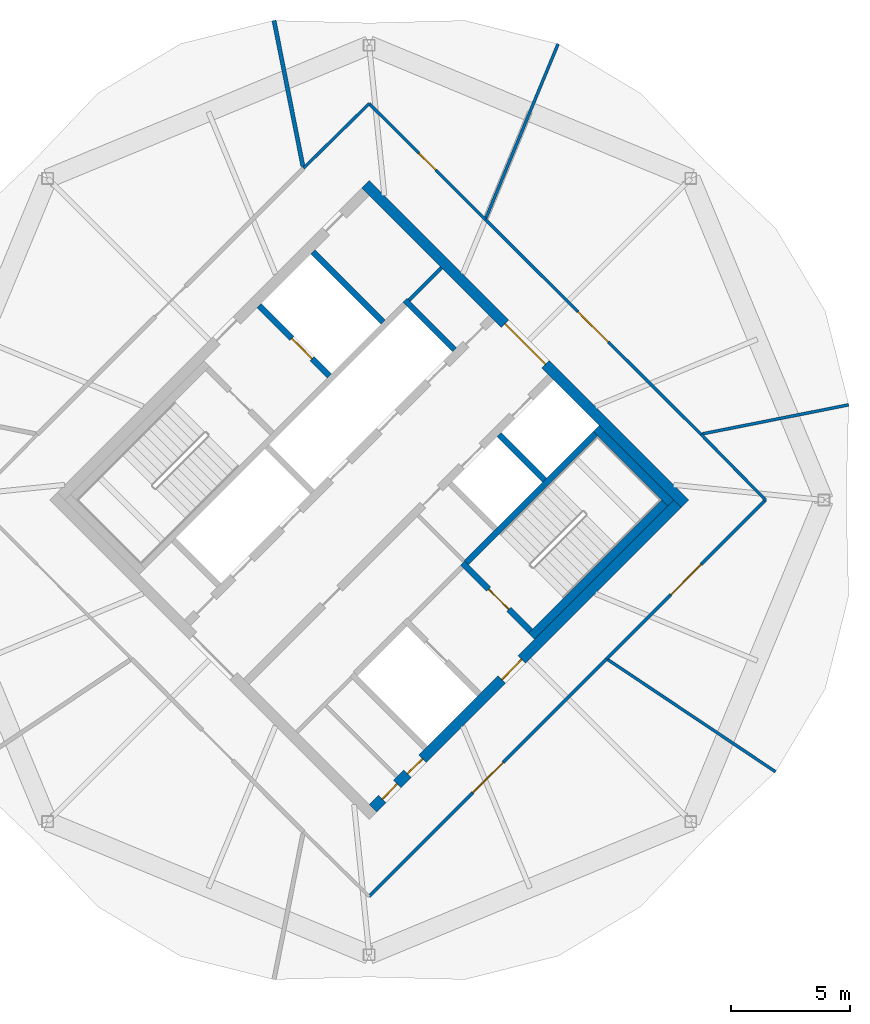
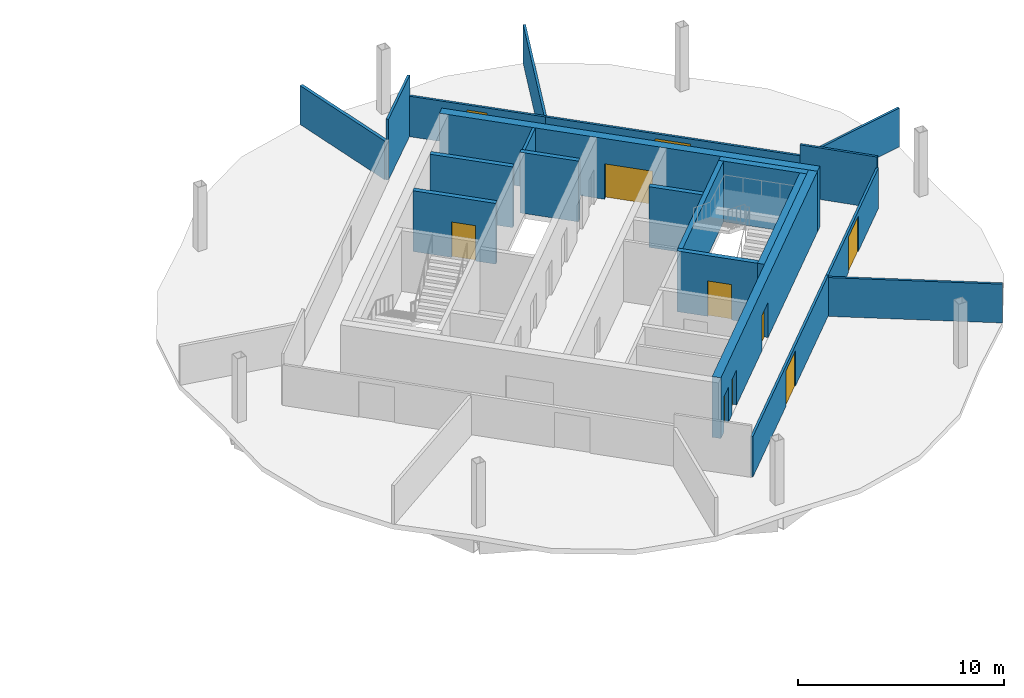
# One storey, part 8 of 10: 21 walls, 10 doors, 10 openings.
"""IFC4 building model written with IfcOpenShell, lengths in metres."""

import ifcopenshell
import ifcopenshell.guid

model = None  # the IFC model being written
_history = None  # IfcOwnerHistory: only IFC2X3 demands one
_inside = {}  # id of a spatial element -> (the spatial element, [elements in it])
_under = {}  # id of a project, library or spatial element -> (it, [spatial elements below it])
_declared = {}  # id of a project -> (the project, [libraries it declares])
_typed = {}  # id of a type object -> (the type object, [elements of that type])
_made_of = {}  # id of a material, layer set ... -> (it, [elements and type objects made of it])


def new_model(schema):
    """Start an empty IFC model of exactly this schema.

    Asked for "IFC4X3", IfcOpenShell would pick the latest addendum, in which some entities
    have other attributes; the version numbers below select the first issue.
    IFC2X3 requires an IfcOwnerHistory on every rooted entity: one is made here for all.
    """
    global model, _history
    if schema == "IFC4X3":
        model = ifcopenshell.file(schema_version=(4, 3, 0, 0))
    else:
        model = ifcopenshell.file(schema=schema)
    _inside.clear()
    _under.clear()
    _declared.clear()
    _typed.clear()
    _made_of.clear()
    _history = None
    if model.schema == "IFC2X3":
        org = make("IfcOrganization", Name="unknown")
        user = make(
            "IfcPersonAndOrganization",
            ThePerson=make("IfcPerson", FamilyName="unknown"),
            TheOrganization=org,
        )
        app = make(
            "IfcApplication",
            ApplicationDeveloper=org,
            Version="unknown",
            ApplicationFullName="unknown",
            ApplicationIdentifier="unknown",
        )
        _history = make(
            "IfcOwnerHistory",
            OwningUser=user,
            OwningApplication=app,
            ChangeAction="ADDED",
            CreationDate=0,
        )
    return model


def make(cls, **values):
    """One entity of the class cls with the attributes given. An attribute that is None is left unset."""
    return model.create_entity(
        cls, **{name: value for name, value in values.items() if value is not None}
    )


def rooted(cls, **values):
    """An entity with a GlobalId (a new one), such as an element, a storey or a relation."""
    return make(cls, GlobalId=ifcopenshell.guid.new(), OwnerHistory=_history, **values)


def si_unit(unit_type, name, prefix=None):
    """IfcSIUnit, for example si_unit("LENGTHUNIT", "METRE", prefix="MILLI")."""
    return make("IfcSIUnit", UnitType=unit_type, Prefix=prefix, Name=name)


def assignment(units):
    """IfcUnitAssignment: the units of a project."""
    return None if units is None else make("IfcUnitAssignment", Units=units)


def point(xyz):
    """IfcCartesianPoint."""
    return None if xyz is None else make("IfcCartesianPoint", Coordinates=xyz)


def direction(xyz):
    """IfcDirection."""
    return None if xyz is None else make("IfcDirection", DirectionRatios=xyz)


def frame(location, z_axis=None, x_axis=None):
    """IfcAxis2Placement3D, a coordinate frame: its origin and axes. An axis left out is left unset."""
    return make(
        "IfcAxis2Placement3D",
        Location=point(location),
        Axis=direction(z_axis),
        RefDirection=direction(x_axis),
    )


def frame_2d(location, x_axis=None):
    """IfcAxis2Placement2D, a coordinate frame in the plane: its origin and x axis."""
    return make(
        "IfcAxis2Placement2D", Location=point(location), RefDirection=direction(x_axis)
    )


def origin():
    """The frame at (0, 0, 0) with its axes left unset."""
    return frame((0.0, 0.0, 0.0))


def place(relative_to, where):
    """IfcLocalPlacement: puts the frame where relative to a parent placement (None: the world)."""
    return make(
        "IfcLocalPlacement", PlacementRelTo=relative_to, RelativePlacement=where
    )


def context(
    kind, dimensions, precision=None, world=None, true_north=None, identifier=None
):
    """IfcGeometricRepresentationContext, for example the 3D "Model" context."""
    return make(
        "IfcGeometricRepresentationContext",
        ContextIdentifier=identifier,
        ContextType=kind,
        CoordinateSpaceDimension=dimensions,
        Precision=precision,
        WorldCoordinateSystem=world,
        TrueNorth=true_north,
    )


def subcontext(parent, identifier, kind, view, scale=None):
    """IfcGeometricRepresentationSubContext, for example "Body" below "Model"."""
    return make(
        "IfcGeometricRepresentationSubContext",
        ContextIdentifier=identifier,
        ContextType=kind,
        ParentContext=parent,
        TargetScale=scale,
        TargetView=view,
    )


def project(units=None, contexts=None):
    """IfcProject with its units and contexts."""
    return rooted(
        "IfcProject",
        Name="project",
        RepresentationContexts=contexts,
        UnitsInContext=assignment(units),
    )


def spatial(cls, under=None, at=None, **own):
    """A site, building, storey or space (cls), placed at a placement, below another one or the project."""
    s = rooted(cls, ObjectPlacement=at, **own)
    if under is not None:
        _under.setdefault(under.id(), (under, []))[1].append(s)
    return s


def profile(cls, at=None, kind="AREA", **sizes):
    """A parametric profile (cls). Its sizes go by their IFC names, for example OverallWidth=200.0."""
    return make(cls, ProfileType=kind, Position=at, **sizes)


def rectangle(**sizes):
    """IfcRectangleProfileDef."""
    return profile("IfcRectangleProfileDef", **sizes)


def extrude(swept, where, along, depth):
    """IfcExtrudedAreaSolid: the profile swept, set in the frame where, extruded along a direction by depth."""
    return make(
        "IfcExtrudedAreaSolid",
        SweptArea=swept,
        Position=where,
        ExtrudedDirection=direction(along),
        Depth=depth,
    )


def shape(context_of_items, identifier, shape_type, items):
    """IfcShapeRepresentation: the items that make up one representation, for example the "Body"."""
    return make(
        "IfcShapeRepresentation",
        ContextOfItems=context_of_items,
        RepresentationIdentifier=identifier,
        RepresentationType=shape_type,
        Items=items,
    )


def material(Name=None, Category=None):
    """IfcMaterial."""
    return make("IfcMaterial", Name=Name, Category=Category)


def layer(
    of_material, thickness, ventilated=None, Name=None, Category=None, Priority=None
):
    """IfcMaterialLayer: one layer of a wall or slab, of a material (None: an air gap)."""
    return make(
        "IfcMaterialLayer",
        Material=of_material,
        LayerThickness=thickness,
        IsVentilated=ventilated,
        Name=Name,
        Category=Category,
        Priority=Priority,
    )


def layer_set(layers, Name=None):
    """IfcMaterialLayerSet."""
    return make("IfcMaterialLayerSet", MaterialLayers=layers, LayerSetName=Name)


def made_of(thing, what):
    """Note that an element or type object is made of a material, layer set ...; save() writes the relation."""
    if what is not None:
        _made_of.setdefault(what.id(), (what, []))[1].append(thing)
    return thing


def type_object(cls, material=None, **own):
    """A type object (cls), such as IfcWallType, which elements share."""
    return made_of(rooted(cls, **own), material)


def element(
    cls,
    number,
    at=None,
    inside=None,
    cuts=None,
    type_object=None,
    material=None,
    context=None,
    identifier="Body",
    shape_type=None,
    held_by="IfcProductDefinitionShape",
    body=None,
    shapes=None,
    **own,
):
    """One element of the class cls, such as IfcWall. Its Tag is "e" and its number.

    at: its placement. inside: the storey or other place that contains it. cuts: it is an
    opening in that element (IfcRelVoidsElement). A single representation is given by context,
    identifier, shape_type and body (its items); several are given by shapes. held_by: the class
    of the entity that holds the representations. save() writes the other relations.
    """
    e = rooted(cls, Tag="e%d" % number, ObjectPlacement=at, **own)
    if body is not None:
        shapes = [shape(context, identifier, shape_type, body)]
    if shapes is not None:
        e.Representation = make(held_by, Representations=shapes)
    if inside is not None:
        _inside.setdefault(inside.id(), (inside, []))[1].append(e)
    if cuts is not None:
        rooted(
            "IfcRelVoidsElement", RelatingBuildingElement=cuts, RelatedOpeningElement=e
        )
    if type_object is not None:
        _typed.setdefault(type_object.id(), (type_object, []))[1].append(e)
    return made_of(e, material)


def fill(opening, filler):
    """IfcRelFillsElement: the door or window that sits in an opening."""
    return rooted(
        "IfcRelFillsElement",
        RelatingOpeningElement=opening,
        RelatedBuildingElement=filler,
    )


def aggregate(whole, parts):
    """IfcRelAggregates: a whole, such as a stair, and the parts it consists of."""
    return rooted("IfcRelAggregates", RelatingObject=whole, RelatedObjects=parts)


def save(model, path):
    """Write the relations noted so far, then the file.

    IfcRelAggregates (storeys below a building ...), IfcRelContainedInSpatialStructure (elements
    in a storey), IfcRelDefinesByType, IfcRelAssociatesMaterial and IfcRelDeclares: one each for
    every whole, place, type object, material and project.
    """
    for whole, parts in _under.values():
        aggregate(whole, parts)
    for where, things in _inside.values():
        rooted(
            "IfcRelContainedInSpatialStructure",
            RelatedElements=things,
            RelatingStructure=where,
        )
    for kind, things in _typed.values():
        rooted("IfcRelDefinesByType", RelatedObjects=things, RelatingType=kind)
    for what, things in _made_of.values():
        rooted("IfcRelAssociatesMaterial", RelatedObjects=things, RelatingMaterial=what)
    for by, libraries in _declared.values():
        rooted("IfcRelDeclares", RelatingContext=by, RelatedDefinitions=libraries)
    model.write(path)


model = new_model("IFC4")

# Units and contexts
model_context = context("Model", 3, precision=1e-05, world=origin(), true_north=direction((0.0, 1.0)))
body_context = subcontext(model_context, "Body", "Model", "MODEL_VIEW")
ifc_project = project(units=[si_unit("LENGTHUNIT", "METRE"), si_unit("AREAUNIT", "SQUARE_METRE"), si_unit("VOLUMEUNIT", "CUBIC_METRE"), si_unit("PLANEANGLEUNIT", "RADIAN"), si_unit("MASSUNIT", "GRAM", prefix="KILO")], contexts=[model_context])

# Site, building, storey
site_placement = place(None, origin())
site = spatial("IfcSite", under=ifc_project, at=site_placement, CompositionType="ELEMENT")
building_placement = place(site_placement, origin())
building = spatial("IfcBuilding", under=site, at=building_placement, Name="Ogive Gate Towers", CompositionType="ELEMENT")
storey_placement = place(building_placement, frame((0.0, 0.0, 236.699951171875)))
storey = spatial("IfcBuildingStorey", under=building, at=storey_placement, Name="L56", CompositionType="ELEMENT", Elevation=236.699951171875)

# Wall
ifc_material_1 = material(Name="Gypsum board acoustic partition")
ifc_layer_1 = layer(ifc_material_1, 0.175048828125)
ifc_layer_set_1 = layer_set([ifc_layer_1], Name="Acoustic partition 175")
wall_type_1 = type_object("IfcWallType", Name="Acoustic partition 175", PredefinedType="PARTITIONING", material=ifc_layer_set_1)
wall_1_placement = place(storey_placement, frame((31.99951171875, 20.156494140625, 0.0), z_axis=(0.0, 0.0, 1.0), x_axis=(0.194674004702, -0.98086799922, 0.0)))
element("IfcWall", 1, at=wall_1_placement, inside=storey, type_object=wall_type_1, Name="Partition T2-L56-003", PredefinedType="PARTITIONING", context=body_context, shape_type="SweptSolid", body=[
    extrude(rectangle(XDim=6.251708984375, YDim=0.175048828125, at=frame_2d((3.1259765625, 0.0))), origin(), (0.0, 0.0, 1.0), 2.300048828125),
])

# Wall, openings, doors
ifc_material_2 = material(Name="Concrete C60/75", Category="concrete")
ifc_layer_2 = layer(ifc_material_2, 0.449951171875)
ifc_layer_set_2 = layer_set([ifc_layer_2], Name="Core wall 450 mm")
wall_type_2 = type_object("IfcWallType", Name="Core wall 450 mm", PredefinedType="SHEAR", material=ifc_layer_set_2)
wall_2_placement = place(storey_placement, frame((36.1591796875, -12.957763671875, 0.0), z_axis=(0.0, 0.0, 1.0), x_axis=(0.707106781187, 0.707106781187, 0.0)))
wall_2 = element("IfcWall", 2, at=wall_2_placement, inside=storey, type_object=wall_type_2, Name="T2 L56 Core wall 450 mm", PredefinedType="SHEAR", context=body_context, shape_type="SweptSolid", body=[
    extrude(rectangle(XDim=18.099853515625, YDim=0.449951171875, at=frame_2d((9.0498046875, 0.0))), origin(), (0.0, 0.0, 1.0), 3.60009765625),
])
opening_1_placement = place(wall_2_placement, frame((7.64990234375, 0.0, 0.0)))
opening_1 = element("IfcOpeningElement", 3, at=opening_1_placement, cuts=wall_2, Name="Opening KD-T2-L56-19", PredefinedType="OPENING", context=body_context, shape_type="SweptSolid", body=[
    extrude(rectangle(XDim=1.199951171875, YDim=2.10009765625, at=frame_2d((0.60009765625, 1.050048828125))), frame((0.0, 0.23486328125, 0.0), z_axis=(0.0, -1.0, 0.0), x_axis=(1.0, 0.0, 0.0)), (0.0, 0.0, 1.0), 0.469970703125),
])
opening_2_placement = place(wall_2_placement, frame((0.550048828125, 0.0, 0.0)))
opening_2 = element("IfcOpeningElement", 4, at=opening_2_placement, cuts=wall_2, Name="Opening KD-T2-L56-21", PredefinedType="OPENING", context=body_context, shape_type="SweptSolid", body=[
    extrude(rectangle(XDim=0.89990234375, YDim=2.10009765625, at=frame_2d((0.449951171875, 1.050048828125))), frame((0.0, 0.23486328125, 0.0), z_axis=(0.0, -1.0, 0.0), x_axis=(1.0, 0.0, 0.0)), (0.0, 0.0, 1.0), 0.469970703125),
])
opening_3_placement = place(wall_2_placement, frame((2.050048828125, 0.0, 0.0)))
opening_3 = element("IfcOpeningElement", 5, at=opening_3_placement, cuts=wall_2, Name="Opening KD-T2-L56-22", PredefinedType="OPENING", context=body_context, shape_type="SweptSolid", body=[
    extrude(rectangle(XDim=0.89990234375, YDim=2.10009765625, at=frame_2d((0.449951171875, 1.050048828125))), frame((0.0, 0.23486328125, 0.0), z_axis=(0.0, -1.0, 0.0), x_axis=(1.0, 0.0, 0.0)), (0.0, 0.0, 1.0), 0.469970703125),
])
ifc_material_3 = material(Name="Timber door", Category="wood")
door_type_1 = type_object("IfcDoorType", Name="Core WC door 900 x 2100", OperationType="NOTDEFINED", PredefinedType="DOOR", material=ifc_material_3)
door_1_placement = place(opening_2_placement, origin())
door_1 = element("IfcDoor", 6, at=door_1_placement, inside=storey, type_object=door_type_1, Name="T2 L56 Core door", OperationType="SINGLE_SWING_RIGHT", OverallHeight=2.10009765625, OverallWidth=0.89990234375, PredefinedType="DOOR", context=body_context, shape_type="SweptSolid", body=[
    extrude(rectangle(XDim=0.89990234375, YDim=2.10009765625, at=frame_2d((0.449951171875, 1.050048828125))), frame((0.0, 0.02490234375, 0.0), z_axis=(0.0, -1.0, 0.0), x_axis=(1.0, 0.0, 0.0)), (0.0, 0.0, 1.0), 0.050048828125),
])
fill(opening_2, door_1)
door_2_placement = place(opening_3_placement, origin())
door_2 = element("IfcDoor", 7, at=door_2_placement, inside=storey, type_object=door_type_1, Name="T2 L56 Core door", OperationType="SINGLE_SWING_LEFT", OverallHeight=2.10009765625, OverallWidth=0.89990234375, PredefinedType="DOOR", context=body_context, shape_type="SweptSolid", body=[
    extrude(rectangle(XDim=0.89990234375, YDim=2.10009765625, at=frame_2d((0.449951171875, 1.050048828125))), frame((0.0, 0.02490234375, 0.0), z_axis=(0.0, -1.0, 0.0), x_axis=(1.0, 0.0, 0.0)), (0.0, 0.0, 1.0), 0.050048828125),
])
fill(opening_3, door_2)
ifc_material_4 = material(Name="Steel fire door", Category="steel")
door_type_2 = type_object("IfcDoorType", Name="Core door FD60S 1200 x 2100", OperationType="NOTDEFINED", PredefinedType="DOOR", material=ifc_material_4)
door_3_placement = place(opening_1_placement, origin())
door_3 = element("IfcDoor", 8, at=door_3_placement, inside=storey, type_object=door_type_2, Name="T2 L56 Fire-fighting lobby door", OperationType="SINGLE_SWING_RIGHT", OverallHeight=2.10009765625, OverallWidth=1.199951171875, PredefinedType="DOOR", context=body_context, shape_type="SweptSolid", body=[
    extrude(rectangle(XDim=1.199951171875, YDim=2.10009765625, at=frame_2d((0.60009765625, 1.050048828125))), frame((0.0, 0.02490234375, 0.0), z_axis=(0.0, -1.0, 0.0), x_axis=(1.0, 0.0, 0.0)), (0.0, 0.0, 1.0), 0.050048828125),
])
fill(opening_1, door_3)

# Wall, opening, door
wall_3_placement = place(storey_placement, frame((49.27587890625, -0.1591796875, 0.0), z_axis=(0.0, 0.0, 1.0), x_axis=(-0.707106781187, 0.707106781187, 0.0)))
wall_3 = element("IfcWall", 9, at=wall_3_placement, inside=storey, type_object=wall_type_2, Name="T2 L56 Core wall 450 mm", PredefinedType="SHEAR", context=body_context, shape_type="SweptSolid", body=[
    extrude(rectangle(XDim=19.0, YDim=0.449951171875, at=frame_2d((9.5, 0.0))), origin(), (0.0, 0.0, 1.0), 3.60009765625),
])
opening_4_placement = place(wall_3_placement, frame((8.300048828125, 0.0, 0.0)))
opening_4 = element("IfcOpeningElement", 10, at=opening_4_placement, cuts=wall_3, Name="Opening KD-T2-L56-02", PredefinedType="OPENING", context=body_context, shape_type="SweptSolid", body=[
    extrude(rectangle(XDim=2.39990234375, YDim=2.10009765625, at=frame_2d((1.199951171875, 1.050048828125))), frame((0.0, 0.23486328125, 0.0), z_axis=(0.0, -1.0, 0.0), x_axis=(1.0, 0.0, 0.0)), (0.0, 0.0, 1.0), 0.469970703125),
])
door_type_3 = type_object("IfcDoorType", Name="Core double door FD60S 2400 x 2100", OperationType="DOUBLE_DOOR_SINGLE_SWING", PredefinedType="DOOR", material=ifc_material_4)
door_4_placement = place(opening_4_placement, origin())
door_4 = element("IfcDoor", 11, at=door_4_placement, inside=storey, type_object=door_type_3, Name="T2 L56 Core door double", OperationType="DOUBLE_DOOR_SINGLE_SWING", OverallHeight=2.10009765625, OverallWidth=2.39990234375, PredefinedType="DOOR", context=body_context, shape_type="SweptSolid", body=[
    extrude(rectangle(XDim=2.39990234375, YDim=2.10009765625, at=frame_2d((1.199951171875, 1.050048828125))), frame((0.0, 0.02490234375, 0.0), z_axis=(0.0, -1.0, 0.0), x_axis=(1.0, 0.0, 0.0)), (0.0, 0.0, 1.0), 0.050048828125),
])
fill(opening_4, door_4)

# Walls
ifc_material_5 = material(Name="Gypsum board partition")
ifc_layer_3 = layer(ifc_material_5, 0.125)
ifc_layer_set_3 = layer_set([ifc_layer_3], Name="Partition 125")
wall_type_3 = type_object("IfcWallType", Name="Partition 125", PredefinedType="PARTITIONING", material=ifc_layer_set_3)
wall_4_placement = place(storey_placement, frame((56.156494140625, 4.00048828125, 0.0), z_axis=(0.0, 0.0, 1.0), x_axis=(-0.980866863673, -0.194679726085, 0.0)))
element("IfcWall", 12, at=wall_4_placement, inside=storey, type_object=wall_type_3, Name="Partition T2-L56-001", PredefinedType="PARTITIONING", context=body_context, shape_type="SweptSolid", body=[
    extrude(rectangle(XDim=6.276611328125, YDim=0.125, at=frame_2d((3.13818359375, 0.0))), origin(), (0.0, 0.0, 1.0), 2.300048828125),
])
wall_5_placement = place(storey_placement, frame((43.940673828125, 19.170654296875, 0.0), z_axis=(0.0, 0.0, 1.0), x_axis=(-0.382663714517, -0.923887699665, 0.0)))
element("IfcWall", 13, at=wall_5_placement, inside=storey, type_object=wall_type_3, Name="Partition T2-L56-002", PredefinedType="PARTITIONING", context=body_context, shape_type="SweptSolid", body=[
    extrude(rectangle(XDim=7.926513671875, YDim=0.125, at=frame_2d((3.96337890625, 0.0))), origin(), (0.0, 0.0, 1.0), 2.300048828125),
])
wall_6_placement = place(storey_placement, frame((53.081298828125, -11.424072265625, 0.0), z_axis=(0.0, 0.0, 1.0), x_axis=(-0.831225196117, 0.555935853619, 0.0)))
element("IfcWall", 14, at=wall_6_placement, inside=storey, type_object=wall_type_3, Name="Partition T2-L56-007", PredefinedType="PARTITIONING", context=body_context, shape_type="SweptSolid", body=[
    extrude(rectangle(XDim=8.4765625, YDim=0.125, at=frame_2d((4.23828125, 0.0))), origin(), (0.0, 0.0, 1.0), 2.300048828125),
])

# Wall, opening, door
wall_7_placement = place(storey_placement, frame((36.0, -16.659423828125, 0.0), z_axis=(0.0, 0.0, 1.0), x_axis=(0.707141366146, 0.707072194536, 0.0)))
wall_7 = element("IfcWall", 15, at=wall_7_placement, inside=storey, type_object=wall_type_3, Name="Partition T2-L56-011", PredefinedType="PARTITIONING", context=body_context, shape_type="SweptSolid", body=[
    extrude(rectangle(XDim=14.117919921875, YDim=0.125, at=frame_2d((7.05908203125, 0.0))), origin(), (0.0, 0.0, 1.0), 2.400146484375),
])
opening_5_placement = place(wall_7_placement, frame((6.158935546875, 0.0, 0.0)))
opening_5 = element("IfcOpeningElement", 16, at=opening_5_placement, cuts=wall_7, Name="Opening T2-L56-D03", PredefinedType="OPENING", context=body_context, shape_type="SweptSolid", body=[
    extrude(rectangle(XDim=1.800048828125, YDim=2.10009765625, at=frame_2d((0.89990234375, 1.050048828125))), frame((0.0, 0.072509765625, 0.0), z_axis=(0.0, -1.0, 0.0), x_axis=(1.0, 0.0, 0.0)), (0.0, 0.0, 1.0), 0.14501953125),
])
door_type_4 = type_object("IfcDoorType", Name="Door pair 1800", OperationType="NOTDEFINED", PredefinedType="DOOR", material=ifc_material_3)
door_5_placement = place(opening_5_placement, origin())
door_5 = element("IfcDoor", 17, at=door_5_placement, inside=storey, type_object=door_type_4, Name="Door T2-L56-D03", OperationType="DOUBLE_DOOR_DOUBLE_SWING", OverallHeight=2.10009765625, OverallWidth=1.800048828125, PredefinedType="DOOR", context=body_context, shape_type="SweptSolid", body=[
    extrude(rectangle(XDim=1.800048828125, YDim=2.10009765625, at=frame_2d((0.89990234375, 1.050048828125))), frame((0.0, 0.02490234375, 0.0), z_axis=(0.0, -1.0, 0.0), x_axis=(1.0, 0.0, 0.0)), (0.0, 0.0, 1.0), 0.050048828125),
])
fill(opening_5, door_5)

wall_8_placement = place(storey_placement, frame((45.9833984375, -6.677001953125, 0.0), z_axis=(0.0, 0.0, 1.0), x_axis=(0.707055065632, 0.707158492959, 0.0)))
wall_8 = element("IfcWall", 18, at=wall_8_placement, inside=storey, type_object=wall_type_3, Name="Partition T2-L56-013", PredefinedType="PARTITIONING", context=body_context, shape_type="SweptSolid", body=[
    extrude(rectangle(XDim=9.44189453125, YDim=0.125, at=frame_2d((4.720947265625, 0.0))), origin(), (0.0, 0.0, 1.0), 2.400146484375),
])
opening_6_placement = place(wall_8_placement, frame((3.821044921875, 0.0, 0.0)))
opening_6 = element("IfcOpeningElement", 19, at=opening_6_placement, cuts=wall_8, Name="Opening T2-L56-D04", PredefinedType="OPENING", context=body_context, shape_type="SweptSolid", body=[
    extrude(rectangle(XDim=1.800048828125, YDim=2.10009765625, at=frame_2d((0.89990234375, 1.050048828125))), frame((0.0, 0.072509765625, 0.0), z_axis=(0.0, -1.0, 0.0), x_axis=(1.0, 0.0, 0.0)), (0.0, 0.0, 1.0), 0.14501953125),
])
door_6_placement = place(opening_6_placement, origin())
door_6 = element("IfcDoor", 20, at=door_6_placement, inside=storey, type_object=door_type_4, Name="Door T2-L56-D04", OperationType="DOUBLE_DOOR_DOUBLE_SWING", OverallHeight=2.10009765625, OverallWidth=1.800048828125, PredefinedType="DOOR", context=body_context, shape_type="SweptSolid", body=[
    extrude(rectangle(XDim=1.800048828125, YDim=2.10009765625, at=frame_2d((0.89990234375, 1.050048828125))), frame((0.0, 0.02490234375, 0.0), z_axis=(0.0, -1.0, 0.0), x_axis=(1.0, 0.0, 0.0)), (0.0, 0.0, 1.0), 0.050048828125),
])
fill(opening_6, door_6)

# Wall
wall_9_placement = place(storey_placement, frame((52.659423828125, 0.0, 0.0), z_axis=(0.0, 0.0, 1.0), x_axis=(-0.701199130072, 0.712965483026, 0.0)))
element("IfcWall", 21, at=wall_9_placement, inside=storey, type_object=wall_type_3, Name="Partition T2-L56-014", PredefinedType="PARTITIONING", context=body_context, shape_type="SweptSolid", body=[
    extrude(rectangle(XDim=3.880126953125, YDim=0.125, at=frame_2d((1.93994140625, 0.0))), origin(), (0.0, 0.0, 1.0), 3.050048828125),
])

# Wall, opening, door
wall_10_placement = place(storey_placement, frame((49.938720703125, 2.766357421875, 0.0), z_axis=(0.0, 0.0, 1.0), x_axis=(-0.708347065463, 0.705864317592, 0.0)))
wall_10 = element("IfcWall", 22, at=wall_10_placement, inside=storey, type_object=wall_type_3, Name="Partition T2-L56-015", PredefinedType="PARTITIONING", context=body_context, shape_type="SweptSolid", body=[
    extrude(rectangle(XDim=12.783447265625, YDim=0.125, at=frame_2d((6.3916015625, 0.0))), origin(), (0.0, 0.0, 1.0), 2.400146484375),
])
opening_7_placement = place(wall_10_placement, frame((5.491943359375, 0.0, 0.0)))
opening_7 = element("IfcOpeningElement", 23, at=opening_7_placement, cuts=wall_10, Name="Opening T2-L56-D05", PredefinedType="OPENING", context=body_context, shape_type="SweptSolid", body=[
    extrude(rectangle(XDim=1.800048828125, YDim=2.10009765625, at=frame_2d((0.89990234375, 1.050048828125))), frame((0.0, 0.072509765625, 0.0), z_axis=(0.0, -1.0, 0.0), x_axis=(1.0, 0.0, 0.0)), (0.0, 0.0, 1.0), 0.14501953125),
])
door_7_placement = place(opening_7_placement, origin())
door_7 = element("IfcDoor", 24, at=door_7_placement, inside=storey, type_object=door_type_4, Name="Door T2-L56-D05", OperationType="DOUBLE_DOOR_DOUBLE_SWING", OverallHeight=2.10009765625, OverallWidth=1.800048828125, PredefinedType="DOOR", context=body_context, shape_type="SweptSolid", body=[
    extrude(rectangle(XDim=1.800048828125, YDim=2.10009765625, at=frame_2d((0.89990234375, 1.050048828125))), frame((0.0, 0.02490234375, 0.0), z_axis=(0.0, -1.0, 0.0), x_axis=(1.0, 0.0, 0.0)), (0.0, 0.0, 1.0), 0.050048828125),
])
fill(opening_7, door_7)

wall_11_placement = place(storey_placement, frame((40.883544921875, 11.789794921875, 0.0), z_axis=(0.0, 0.0, 1.0), x_axis=(-0.70811497392, 0.706097148918, 0.0)))
wall_11 = element("IfcWall", 25, at=wall_11_placement, inside=storey, type_object=wall_type_3, Name="Partition T2-L56-016", PredefinedType="PARTITIONING", context=body_context, shape_type="SweptSolid", body=[
    extrude(rectangle(XDim=6.896484375, YDim=0.125, at=frame_2d((3.4482421875, 0.0))), origin(), (0.0, 0.0, 1.0), 2.400146484375),
])
opening_8_placement = place(wall_11_placement, frame((2.947998046875, 0.0, 0.0)))
opening_8 = element("IfcOpeningElement", 26, at=opening_8_placement, cuts=wall_11, Name="Opening T2-L56-D06", PredefinedType="OPENING", context=body_context, shape_type="SweptSolid", body=[
    extrude(rectangle(XDim=1.0, YDim=2.10009765625, at=frame_2d((0.5, 1.050048828125))), frame((0.0, 0.072509765625, 0.0), z_axis=(0.0, -1.0, 0.0), x_axis=(1.0, 0.0, 0.0)), (0.0, 0.0, 1.0), 0.14501953125),
])
door_type_5 = type_object("IfcDoorType", Name="Door 1000", OperationType="NOTDEFINED", PredefinedType="DOOR", material=ifc_material_3)
door_8_placement = place(opening_8_placement, origin())
door_8 = element("IfcDoor", 27, at=door_8_placement, inside=storey, type_object=door_type_5, Name="Door T2-L56-D06", OperationType="SINGLE_SWING_RIGHT", OverallHeight=2.10009765625, OverallWidth=1.0, PredefinedType="DOOR", context=body_context, shape_type="SweptSolid", body=[
    extrude(rectangle(XDim=1.0, YDim=2.10009765625, at=frame_2d((0.5, 1.050048828125))), frame((0.0, 0.02490234375, 0.0), z_axis=(0.0, -1.0, 0.0), x_axis=(1.0, 0.0, 0.0)), (0.0, 0.0, 1.0), 0.050048828125),
])
fill(opening_8, door_8)

# Walls
wall_12_placement = place(storey_placement, frame((36.0, 16.659423828125, 0.0), z_axis=(0.0, 0.0, 1.0), x_axis=(-0.712965483026, -0.701199130072, 0.0)))
element("IfcWall", 28, at=wall_12_placement, inside=storey, type_object=wall_type_3, Name="Partition T2-L56-017", PredefinedType="PARTITIONING", context=body_context, shape_type="SweptSolid", body=[
    extrude(rectangle(XDim=3.880126953125, YDim=0.125, at=frame_2d((1.93994140625, 0.0))), origin(), (0.0, 0.0, 1.0), 3.60009765625),
])
ifc_layer_4 = layer(ifc_material_5, 0.14990234375)
ifc_layer_set_4 = layer_set([ifc_layer_4], Name="Room partition 150 mm")
wall_type_4 = type_object("IfcWallType", Name="Room partition 150 mm", PredefinedType="PARTITIONING", material=ifc_layer_set_4)
wall_13_placement = place(storey_placement, frame((37.679443359375, 8.39697265625, 0.0), z_axis=(0.0, 0.0, 1.0), x_axis=(0.707106781187, 0.707106781187, 0.0)))
element("IfcWall", 29, at=wall_13_placement, inside=storey, type_object=wall_type_4, Name="T2 L56 Room partition 150 mm", PredefinedType="PARTITIONING", context=body_context, shape_type="SweptSolid", body=[
    extrude(rectangle(XDim=1.9248046875, YDim=0.14990234375, at=frame_2d((0.96240234375, 0.0))), origin(), (0.0, 0.0, 1.0), 3.60009765625),
])
ifc_layer_5 = layer(ifc_material_2, 0.25)
ifc_layer_set_5 = layer_set([ifc_layer_5], Name="Shaft wall 250 mm")
wall_type_5 = type_object("IfcWallType", Name="Shaft wall 250 mm", PredefinedType="SHEAR", material=ifc_layer_set_5)
wall_14_placement = place(storey_placement, frame((40.08349609375, -2.634033203125, 0.0), z_axis=(0.0, 0.0, 1.0), x_axis=(0.707090876314, 0.707122685701, 0.0)))
element("IfcWall", 30, at=wall_14_placement, inside=storey, type_object=wall_type_5, Name="T2 L56 Shaft wall 250 mm", PredefinedType="SHEAR", context=body_context, shape_type="SweptSolid", body=[
    extrude(rectangle(XDim=7.675048828125, YDim=0.25, at=frame_2d((3.83740234375, 0.0))), origin(), (0.0, 0.0, 1.0), 3.60009765625),
])

# Wall, opening, door
wall_15_placement = place(storey_placement, frame((42.7880859375, -5.515380859375, 0.0), z_axis=(0.0, 0.0, 1.0), x_axis=(-0.707106781187, 0.707106781187, 0.0)))
wall_15 = element("IfcWall", 31, at=wall_15_placement, inside=storey, type_object=wall_type_5, Name="T2 L56 Shaft wall 250 mm", PredefinedType="SHEAR", context=body_context, shape_type="SweptSolid", body=[
    extrude(rectangle(XDim=4.050048828125, YDim=0.25, at=frame_2d((2.02490234375, 0.0))), origin(), (0.0, 0.0, 1.0), 3.60009765625),
])
opening_9_placement = place(wall_15_placement, frame((1.300048828125, 0.0, 0.0)))
opening_9 = element("IfcOpeningElement", 32, at=opening_9_placement, cuts=wall_15, Name="Opening KD-T2-L56-17", PredefinedType="OPENING", context=body_context, shape_type="SweptSolid", body=[
    extrude(rectangle(XDim=1.199951171875, YDim=2.10009765625, at=frame_2d((0.60009765625, 1.050048828125))), frame((0.0, 0.135009765625, 0.0), z_axis=(0.0, -1.0, 0.0), x_axis=(1.0, 0.0, 0.0)), (0.0, 0.0, 1.0), 0.27001953125),
])
door_9_placement = place(opening_9_placement, origin())
door_9 = element("IfcDoor", 33, at=door_9_placement, inside=storey, type_object=door_type_2, Name="T2 L56 Stair door", OperationType="SINGLE_SWING_RIGHT", OverallHeight=2.10009765625, OverallWidth=1.199951171875, PredefinedType="DOOR", context=body_context, shape_type="SweptSolid", body=[
    extrude(rectangle(XDim=1.199951171875, YDim=2.10009765625, at=frame_2d((0.60009765625, 1.050048828125))), frame((0.0, 0.02490234375, 0.0), z_axis=(0.0, -1.0, 0.0), x_axis=(1.0, 0.0, 0.0)), (0.0, 0.0, 1.0), 0.050048828125),
])
fill(opening_9, door_9)

wall_16_placement = place(storey_placement, frame((34.320556640625, 5.21484375, 0.0), z_axis=(0.0, 0.0, 1.0), x_axis=(-0.707106781187, 0.707106781187, 0.0)))
wall_16 = element("IfcWall", 34, at=wall_16_placement, inside=storey, type_object=wall_type_5, Name="T2 L56 Shaft wall 250 mm", PredefinedType="SHEAR", context=body_context, shape_type="SweptSolid", body=[
    extrude(rectangle(XDim=4.175048828125, YDim=0.25, at=frame_2d((2.08740234375, 0.0))), origin(), (0.0, 0.0, 1.0), 3.60009765625),
])
opening_10_placement = place(wall_16_placement, frame((1.02490234375, 0.0, 0.0)))
opening_10 = element("IfcOpeningElement", 35, at=opening_10_placement, cuts=wall_16, Name="Opening LD-T2-L56-12", PredefinedType="OPENING", context=body_context, shape_type="SweptSolid", body=[
    extrude(rectangle(XDim=1.199951171875, YDim=2.10009765625, at=frame_2d((0.60009765625, 1.050048828125))), frame((0.0, 0.135009765625, 0.0), z_axis=(0.0, -1.0, 0.0), x_axis=(1.0, 0.0, 0.0)), (0.0, 0.0, 1.0), 0.27001953125),
])
ifc_material_6 = material(Name="Stainless steel landing door", Category="steel")
door_type_6 = type_object("IfcDoorType", Name="Landing door 1200 x 2100", OperationType="SLIDING_TO_LEFT", PredefinedType="DOOR", material=ifc_material_6)
door_10_placement = place(opening_10_placement, origin())
door_10 = element("IfcDoor", 36, at=door_10_placement, inside=storey, type_object=door_type_6, Name="T2 L56 Lift landing door FF1", OperationType="SLIDING_TO_LEFT", OverallHeight=2.10009765625, OverallWidth=1.199951171875, PredefinedType="DOOR", context=body_context, shape_type="SweptSolid", body=[
    extrude(rectangle(XDim=1.199951171875, YDim=2.10009765625, at=frame_2d((0.60009765625, 1.050048828125))), frame((0.0, 0.02490234375, 0.0), z_axis=(0.0, -1.0, 0.0), x_axis=(1.0, 0.0, 0.0)), (0.0, 0.0, 1.0), 0.050048828125),
])
fill(opening_10, door_10)

# Walls
wall_17_placement = place(storey_placement, frame((36.58349609375, 7.477783203125, 0.0), z_axis=(0.0, 0.0, 1.0), x_axis=(-0.707165256008, 0.707048301529, 0.0)))
element("IfcWall", 37, at=wall_17_placement, inside=storey, type_object=wall_type_5, Name="T2 L56 Shaft wall 250 mm", PredefinedType="SHEAR", context=body_context, shape_type="SweptSolid", body=[
    extrude(rectangle(XDim=4.175048828125, YDim=0.25, at=frame_2d((2.08740234375, 0.0))), origin(), (0.0, 0.0, 1.0), 3.60009765625),
])
wall_18_placement = place(storey_placement, frame((43.37158203125, 0.830810546875, 0.0), z_axis=(0.0, 0.0, 1.0), x_axis=(-0.707106781187, 0.707106781187, 0.0)))
element("IfcWall", 38, at=wall_18_placement, inside=storey, type_object=wall_type_5, Name="T2 L56 Shaft wall 250 mm", PredefinedType="SHEAR", context=body_context, shape_type="SweptSolid", body=[
    extrude(rectangle(XDim=2.699951171875, YDim=0.25, at=frame_2d((1.35009765625, 0.0))), origin(), (0.0, 0.0, 1.0), 3.60009765625),
])
wall_19_placement = place(storey_placement, frame((39.588623046875, 6.310791015625, 0.0), z_axis=(0.0, 0.0, 1.0), x_axis=(-0.707065402085, 0.707148157867, 0.0)))
element("IfcWall", 39, at=wall_19_placement, inside=storey, type_object=wall_type_5, Name="T2 L56 Shaft wall 250 mm", PredefinedType="SHEAR", context=body_context, shape_type="SweptSolid", body=[
    extrude(rectangle(XDim=2.9501953125, YDim=0.25, at=frame_2d((1.47509765625, 0.0))), origin(), (0.0, 0.0, 1.0), 3.60009765625),
])
ifc_layer_6 = layer(ifc_material_2, 0.35009765625)
ifc_layer_set_6 = layer_set([ifc_layer_6], Name="Stair wall 350 mm")
wall_type_6 = type_object("IfcWallType", Name="Stair wall 350 mm", PredefinedType="SHEAR", material=ifc_layer_set_6)
wall_20_placement = place(storey_placement, frame((42.823486328125, -5.7275390625, 0.0), z_axis=(0.0, 0.0, 1.0), x_axis=(0.707122184046, 0.707091377991, 0.0)))
element("IfcWall", 40, at=wall_20_placement, inside=storey, type_object=wall_type_6, Name="T2 L56 Stair wall 350 mm", PredefinedType="SHEAR", context=body_context, shape_type="SweptSolid", body=[
    extrude(rectangle(XDim=7.925048828125, YDim=0.35009765625, at=frame_2d((3.96240234375, 0.0))), origin(), (0.0, 0.0, 1.0), 3.60009765625),
])
wall_21_placement = place(storey_placement, frame((48.6748046875, -0.123779296875, 0.0), z_axis=(0.0, 0.0, 1.0), x_axis=(-0.707106781187, 0.707106781187, 0.0)))
element("IfcWall", 41, at=wall_21_placement, inside=storey, type_object=wall_type_6, Name="T2 L56 Stair wall 350 mm", PredefinedType="SHEAR", context=body_context, shape_type="SweptSolid", body=[
    extrude(rectangle(XDim=4.425048828125, YDim=0.35009765625, at=frame_2d((2.21240234375, 0.0))), origin(), (0.0, 0.0, 1.0), 3.60009765625),
])

save(model, "model.ifc")
